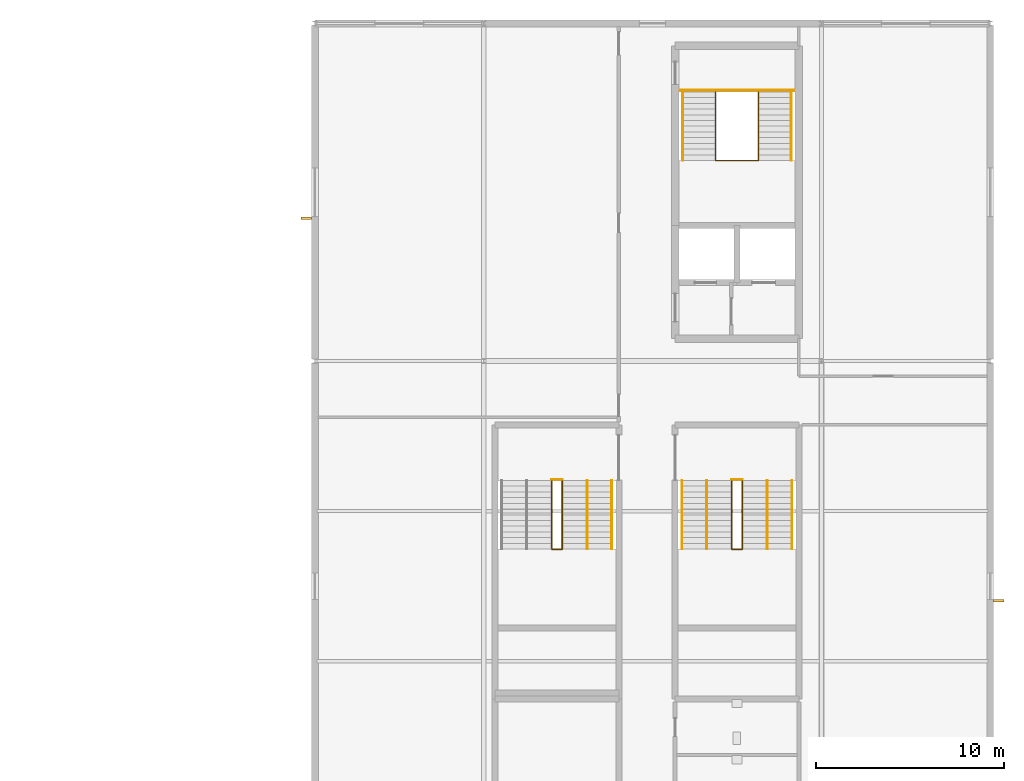
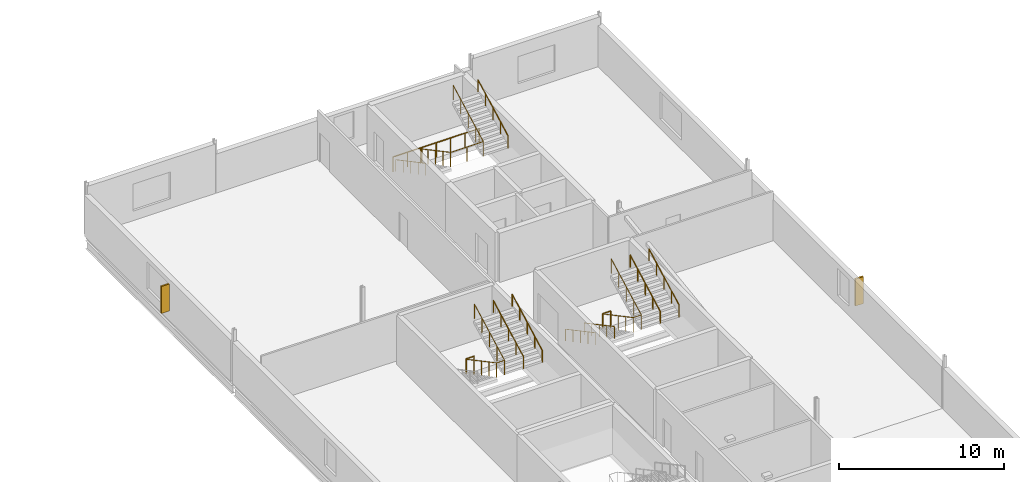
# One storey, part 34 of 35: 14 railings, 2 shading devices.
"""IFC4 building model written with IfcOpenShell, lengths in metres."""

from ifc_helpers import new_model, si_unit, direction, frame, origin, origin_2d, place, context, subcontext, project, spatial, rectangle, circle, extrude, material, type_object, element, save


model = new_model("IFC4")

# Units and contexts
model_context = context("Model", 3, precision=1e-05, world=origin(), true_north=direction((0.0, 1.0)))
body_context = subcontext(model_context, "Body", "Model", "MODEL_VIEW")
ifc_project = project(units=[si_unit("LENGTHUNIT", "METRE"), si_unit("AREAUNIT", "SQUARE_METRE"), si_unit("VOLUMEUNIT", "CUBIC_METRE"), si_unit("PLANEANGLEUNIT", "RADIAN"), si_unit("MASSUNIT", "GRAM", prefix="KILO")], contexts=[model_context])

# Site, building, storey
site_placement = place(None, origin())
site = spatial("IfcSite", under=ifc_project, at=site_placement, CompositionType="ELEMENT")
building_placement = place(site_placement, origin())
building = spatial("IfcBuilding", under=site, at=building_placement, Name="Kisiwana Market Hall", CompositionType="ELEMENT")
storey_placement = place(building_placement, frame((0.0, 0.0, 57.89990234375)))
storey = spatial("IfcBuildingStorey", under=building, at=storey_placement, Name="L13", CompositionType="ELEMENT", Elevation=57.89990234375)

# Railings
ifc_material_1 = material(Name="Steel S275", Category="steel")
railing_type_1 = type_object("IfcRailingType", Name="RL-GUARD-1100", PredefinedType="GUARDRAIL", material=ifc_material_1)
railing_1_placement = place(storey_placement, frame((183.35009765625, 98.3505859375, 0.0)))
element("IfcRailing", 1, at=railing_1_placement, inside=storey, type_object=railing_type_1, Name="Stair ST-E1-L13 inner-well guardrail (RL-1523)", PredefinedType="GUARDRAIL", context=body_context, shape_type="SweptSolid", body=[
    extrude(circle(Radius=0.02392578125, at=origin_2d()), frame((0.0, 0.0, 1.076171875), z_axis=(0.0, -0.882541897885, 0.470233770031), x_axis=(1.0, 0.0, 0.0)), (0.0, 0.0, 1.0), 4.147216796875),
    extrude(circle(Radius=0.02392578125, at=origin_2d()), frame((0.0, -3.66015625, 3.0263671875), z_axis=(1.0, 0.0, 0.0), x_axis=(0.0, 1.0, 0.0)), (0.0, 0.0, 1.0), 2.2998046875),
    extrude(circle(Radius=0.02392578125, at=origin_2d()), frame((2.2998046875, -3.66015625, 3.0263671875), z_axis=(0.0, 0.882566327451, 0.470187917379), x_axis=(-1.0, 0.0, 0.0)), (0.0, 0.0, 1.0), 4.147216796875),
    extrude(circle(Radius=0.02099609375, at=origin_2d()), origin(), (0.0, 0.0, 1.0), 1.052001953125),
    extrude(circle(Radius=0.02099609375, at=origin_2d()), frame((0.0, -0.9150390625, 0.487548828125)), (0.0, 0.0, 1.0), 1.052001953125),
    extrude(circle(Radius=0.02099609375, at=origin_2d()), frame((0.0, -1.830078125, 0.97509765625)), (0.0, 0.0, 1.0), 1.052001953125),
    extrude(circle(Radius=0.02099609375, at=origin_2d()), frame((0.0, -2.7451171875, 1.462646484375)), (0.0, 0.0, 1.0), 1.052001953125),
    extrude(circle(Radius=0.02099609375, at=origin_2d()), frame((0.0, -3.66015625, 1.9501953125)), (0.0, 0.0, 1.0), 1.052001953125),
    extrude(circle(Radius=0.02099609375, at=origin_2d()), frame((1.14990234375, -3.66015625, 1.9501953125)), (0.0, 0.0, 1.0), 1.052001953125),
    extrude(circle(Radius=0.02099609375, at=origin_2d()), frame((2.2998046875, -3.66015625, 1.9501953125)), (0.0, 0.0, 1.0), 1.052001953125),
    extrude(circle(Radius=0.02099609375, at=origin_2d()), frame((2.2998046875, -2.7451171875, 2.437744140625)), (0.0, 0.0, 1.0), 1.052001953125),
    extrude(circle(Radius=0.02099609375, at=origin_2d()), frame((2.2998046875, -1.830078125, 2.92529296875)), (0.0, 0.0, 1.0), 1.052001953125),
    extrude(circle(Radius=0.02099609375, at=origin_2d()), frame((2.2998046875, -0.9150390625, 3.41259765625)), (0.0, 0.0, 1.0), 1.052001953125),
    extrude(circle(Radius=0.02099609375, at=origin_2d()), frame((2.2998046875, 0.0, 3.900146484375)), (0.0, 0.0, 1.0), 1.052001953125),
])
railing_2_placement = place(storey_placement, frame((181.47998046875, 98.430419921875, 0.0)))
element("IfcRailing", 2, at=railing_2_placement, inside=storey, type_object=railing_type_1, Name="Stair ST-E1-L13 landing edge guardrail (RL-1526)", PredefinedType="GUARDRAIL", context=body_context, shape_type="SweptSolid", body=[
    extrude(circle(Radius=0.02392578125, at=origin_2d()), frame((0.0, 0.0, 1.076171875), z_axis=(1.0, 0.0, 0.0), x_axis=(0.0, 1.0, 0.0)), (0.0, 0.0, 1.0), 6.0400390625),
    extrude(circle(Radius=0.02099609375, at=origin_2d()), origin(), (0.0, 0.0, 1.0), 1.052001953125),
    extrude(circle(Radius=0.02099609375, at=origin_2d()), frame((1.006591796875, 0.0, 0.0)), (0.0, 0.0, 1.0), 1.052001953125),
    extrude(circle(Radius=0.02099609375, at=origin_2d()), frame((2.013427734375, 0.0, 0.0)), (0.0, 0.0, 1.0), 1.052001953125),
    extrude(circle(Radius=0.02099609375, at=origin_2d()), frame((3.02001953125, 0.0, 0.0)), (0.0, 0.0, 1.0), 1.052001953125),
    extrude(circle(Radius=0.02099609375, at=origin_2d()), frame((4.026611328125, 0.0, 0.0)), (0.0, 0.0, 1.0), 1.052001953125),
    extrude(circle(Radius=0.02099609375, at=origin_2d()), frame((5.033447265625, 0.0, 0.0)), (0.0, 0.0, 1.0), 1.052001953125),
    extrude(circle(Radius=0.02099609375, at=origin_2d()), frame((6.0400390625, 0.0, 0.0)), (0.0, 0.0, 1.0), 1.052001953125),
])
railing_3_placement = place(storey_placement, frame((184.219970703125, 77.639892578125, 0.0)))
element("IfcRailing", 3, at=railing_3_placement, inside=storey, type_object=railing_type_1, Name="Stair ST-E4-L13 inner-well guardrail (RL-1545)", PredefinedType="GUARDRAIL", context=body_context, shape_type="SweptSolid", body=[
    extrude(circle(Radius=0.02392578125, at=origin_2d()), frame((0.0, 0.0, 1.076171875), z_axis=(0.0, -0.882528880096, 0.470258201201), x_axis=(1.0, 0.0, 0.0)), (0.0, 0.0, 1.0), 4.14697265625),
    extrude(circle(Radius=0.02392578125, at=origin_2d()), frame((0.0, -3.659912109375, 3.0263671875), z_axis=(1.0, 0.0, 0.0), x_axis=(0.0, 1.0, 0.0)), (0.0, 0.0, 1.0), 0.56005859375),
    extrude(circle(Radius=0.02392578125, at=origin_2d()), frame((0.56005859375, -3.659912109375, 3.0263671875), z_axis=(0.0, 0.88255331184, 0.47021234752), x_axis=(-1.0, 0.0, 0.0)), (0.0, 0.0, 1.0), 4.14697265625),
    extrude(circle(Radius=0.02099609375, at=origin_2d()), origin(), (0.0, 0.0, 1.0), 1.052001953125),
    extrude(circle(Radius=0.02099609375, at=origin_2d()), frame((0.0, -0.9150390625, 0.487548828125)), (0.0, 0.0, 1.0), 1.052001953125),
    extrude(circle(Radius=0.02099609375, at=origin_2d()), frame((0.0, -1.830078125, 0.97509765625)), (0.0, 0.0, 1.0), 1.052001953125),
    extrude(circle(Radius=0.02099609375, at=origin_2d()), frame((0.0, -2.744873046875, 1.462646484375)), (0.0, 0.0, 1.0), 1.052001953125),
    extrude(circle(Radius=0.02099609375, at=origin_2d()), frame((0.0, -3.659912109375, 1.9501953125)), (0.0, 0.0, 1.0), 1.052001953125),
    extrude(circle(Radius=0.02099609375, at=origin_2d()), frame((0.56005859375, -3.659912109375, 1.9501953125)), (0.0, 0.0, 1.0), 1.052001953125),
    extrude(circle(Radius=0.02099609375, at=origin_2d()), frame((0.56005859375, -2.744873046875, 2.437744140625)), (0.0, 0.0, 1.0), 1.052001953125),
    extrude(circle(Radius=0.02099609375, at=origin_2d()), frame((0.56005859375, -1.830078125, 2.92529296875)), (0.0, 0.0, 1.0), 1.052001953125),
    extrude(circle(Radius=0.02099609375, at=origin_2d()), frame((0.56005859375, -0.9150390625, 3.41259765625)), (0.0, 0.0, 1.0), 1.052001953125),
    extrude(circle(Radius=0.02099609375, at=origin_2d()), frame((0.56005859375, 0.0, 3.900146484375)), (0.0, 0.0, 1.0), 1.052001953125),
])
railing_4_placement = place(storey_placement, frame((184.219970703125, 77.68994140625, 0.0)))
element("IfcRailing", 4, at=railing_4_placement, inside=storey, type_object=railing_type_1, Name="Stair ST-E4-L13 landing edge guardrail (RL-1550)", PredefinedType="GUARDRAIL", context=body_context, shape_type="SweptSolid", body=[
    extrude(circle(Radius=0.02392578125, at=origin_2d()), frame((0.0, 0.0, 1.076171875), z_axis=(1.0, 0.0, 0.0), x_axis=(0.0, 1.0, 0.0)), (0.0, 0.0, 1.0), 0.56005859375),
    extrude(circle(Radius=0.02099609375, at=origin_2d()), origin(), (0.0, 0.0, 1.0), 1.052001953125),
    extrude(circle(Radius=0.02099609375, at=origin_2d()), frame((0.56005859375, 0.0, 0.0)), (0.0, 0.0, 1.0), 1.052001953125),
])
railing_5_placement = place(storey_placement, frame((174.6201171875, 77.639892578125, 0.0)))
element("IfcRailing", 5, at=railing_5_placement, inside=storey, type_object=railing_type_1, Name="Stair ST-E8-L13 inner-well guardrail (RL-1569)", PredefinedType="GUARDRAIL", context=body_context, shape_type="SweptSolid", body=[
    extrude(circle(Radius=0.02392578125, at=origin_2d()), frame((0.0, 0.0, 1.076171875), z_axis=(0.0, -0.882528880096, 0.470258201201), x_axis=(1.0, 0.0, 0.0)), (0.0, 0.0, 1.0), 4.14697265625),
    extrude(circle(Radius=0.02392578125, at=origin_2d()), frame((0.0, -3.659912109375, 3.0263671875), z_axis=(1.0, 0.0, 0.0), x_axis=(0.0, 1.0, 0.0)), (0.0, 0.0, 1.0), 0.559814453125),
    extrude(circle(Radius=0.02392578125, at=origin_2d()), frame((0.559814453125, -3.659912109375, 3.0263671875), z_axis=(0.0, 0.88255331184, 0.47021234752), x_axis=(-1.0, 0.0, 0.0)), (0.0, 0.0, 1.0), 4.14697265625),
    extrude(circle(Radius=0.02099609375, at=origin_2d()), origin(), (0.0, 0.0, 1.0), 1.052001953125),
    extrude(circle(Radius=0.02099609375, at=origin_2d()), frame((0.0, -0.9150390625, 0.487548828125)), (0.0, 0.0, 1.0), 1.052001953125),
    extrude(circle(Radius=0.02099609375, at=origin_2d()), frame((0.0, -1.830078125, 0.97509765625)), (0.0, 0.0, 1.0), 1.052001953125),
    extrude(circle(Radius=0.02099609375, at=origin_2d()), frame((0.0, -2.744873046875, 1.462646484375)), (0.0, 0.0, 1.0), 1.052001953125),
    extrude(circle(Radius=0.02099609375, at=origin_2d()), frame((0.0, -3.659912109375, 1.9501953125)), (0.0, 0.0, 1.0), 1.052001953125),
    extrude(circle(Radius=0.02099609375, at=origin_2d()), frame((0.559814453125, -3.659912109375, 1.9501953125)), (0.0, 0.0, 1.0), 1.052001953125),
    extrude(circle(Radius=0.02099609375, at=origin_2d()), frame((0.559814453125, -2.744873046875, 2.437744140625)), (0.0, 0.0, 1.0), 1.052001953125),
    extrude(circle(Radius=0.02099609375, at=origin_2d()), frame((0.559814453125, -1.830078125, 2.92529296875)), (0.0, 0.0, 1.0), 1.052001953125),
    extrude(circle(Radius=0.02099609375, at=origin_2d()), frame((0.559814453125, -0.9150390625, 3.41259765625)), (0.0, 0.0, 1.0), 1.052001953125),
    extrude(circle(Radius=0.02099609375, at=origin_2d()), frame((0.559814453125, 0.0, 3.900146484375)), (0.0, 0.0, 1.0), 1.052001953125),
])
railing_6_placement = place(storey_placement, frame((174.6201171875, 77.68994140625, 0.0)))
element("IfcRailing", 6, at=railing_6_placement, inside=storey, type_object=railing_type_1, Name="Stair ST-E8-L13 landing edge guardrail (RL-1574)", PredefinedType="GUARDRAIL", context=body_context, shape_type="SweptSolid", body=[
    extrude(circle(Radius=0.02392578125, at=origin_2d()), frame((0.0, 0.0, 1.076171875), z_axis=(1.0, 0.0, 0.0), x_axis=(0.0, 1.0, 0.0)), (0.0, 0.0, 1.0), 0.559814453125),
    extrude(circle(Radius=0.02099609375, at=origin_2d()), origin(), (0.0, 0.0, 1.0), 1.052001953125),
    extrude(circle(Radius=0.02099609375, at=origin_2d()), frame((0.559814453125, 0.0, 0.0)), (0.0, 0.0, 1.0), 1.052001953125),
])
ifc_material_2 = material(Name="Steel S275", Category="steel")
railing_type_2 = type_object("IfcRailingType", Name="RL-HAND-900", PredefinedType="HANDRAIL", material=ifc_material_2)
railing_7_placement = place(storey_placement, frame((181.610107421875, 98.3505859375, 0.0)))
element("IfcRailing", 7, at=railing_7_placement, inside=storey, type_object=railing_type_2, Name="Stair ST-E1-L13 flight 1 handrail (RL-1524)", PredefinedType="HANDRAIL", context=body_context, shape_type="SweptSolid", body=[
    extrude(circle(Radius=0.02392578125, at=origin_2d()), frame((0.0, 0.0, 0.8759765625), z_axis=(0.0, -0.882541897885, 0.470233770031), x_axis=(1.0, 0.0, 0.0)), (0.0, 0.0, 1.0), 4.147216796875),
    extrude(circle(Radius=0.02099609375, at=origin_2d()), origin(), (0.0, 0.0, 1.0), 0.851806640625),
    extrude(circle(Radius=0.02099609375, at=origin_2d()), frame((0.0, -0.9150390625, 0.487548828125)), (0.0, 0.0, 1.0), 0.851806640625),
    extrude(circle(Radius=0.02099609375, at=origin_2d()), frame((0.0, -1.830078125, 0.97509765625)), (0.0, 0.0, 1.0), 0.851806640625),
    extrude(circle(Radius=0.02099609375, at=origin_2d()), frame((0.0, -2.7451171875, 1.462646484375)), (0.0, 0.0, 1.0), 0.851806640625),
    extrude(circle(Radius=0.02099609375, at=origin_2d()), frame((0.0, -3.66015625, 1.9501953125)), (0.0, 0.0, 1.0), 0.851806640625),
])
railing_8_placement = place(storey_placement, frame((187.389892578125, 94.6904296875, 1.9501953125)))
element("IfcRailing", 8, at=railing_8_placement, inside=storey, type_object=railing_type_2, Name="Stair ST-E1-L13 flight 2 handrail (RL-1525)", PredefinedType="HANDRAIL", context=body_context, shape_type="SweptSolid", body=[
    extrude(circle(Radius=0.02392578125, at=origin_2d()), frame((0.0, 0.0, 0.8759765625), z_axis=(0.0, 0.882566327451, 0.470187917379), x_axis=(-1.0, 0.0, 0.0)), (0.0, 0.0, 1.0), 4.147216796875),
    extrude(circle(Radius=0.02099609375, at=origin_2d()), origin(), (0.0, 0.0, 1.0), 0.851806640625),
    extrude(circle(Radius=0.02099609375, at=origin_2d()), frame((0.0, 0.9150390625, 0.487548828125)), (0.0, 0.0, 1.0), 0.851806640625),
    extrude(circle(Radius=0.02099609375, at=origin_2d()), frame((0.0, 1.830078125, 0.97509765625)), (0.0, 0.0, 1.0), 0.851806640625),
    extrude(circle(Radius=0.02099609375, at=origin_2d()), frame((0.0, 2.7451171875, 1.46240234375)), (0.0, 0.0, 1.0), 0.851806640625),
    extrude(circle(Radius=0.02099609375, at=origin_2d()), frame((0.0, 3.66015625, 1.949951171875)), (0.0, 0.0, 1.0), 0.851806640625),
])
railing_9_placement = place(storey_placement, frame((181.570068359375, 77.639892578125, 0.0)))
element("IfcRailing", 9, at=railing_9_placement, inside=storey, type_object=railing_type_2, Name="Stair ST-E4-L13 flight 1 handrail (RL-1546)", PredefinedType="HANDRAIL", context=body_context, shape_type="SweptSolid", body=[
    extrude(circle(Radius=0.02392578125, at=origin_2d()), frame((0.0, 0.0, 0.8759765625), z_axis=(0.0, -0.882528880096, 0.470258201201), x_axis=(1.0, 0.0, 0.0)), (0.0, 0.0, 1.0), 4.14697265625),
    extrude(circle(Radius=0.02099609375, at=origin_2d()), origin(), (0.0, 0.0, 1.0), 0.851806640625),
    extrude(circle(Radius=0.02099609375, at=origin_2d()), frame((0.0, -0.9150390625, 0.487548828125)), (0.0, 0.0, 1.0), 0.851806640625),
    extrude(circle(Radius=0.02099609375, at=origin_2d()), frame((0.0, -1.830078125, 0.97509765625)), (0.0, 0.0, 1.0), 0.851806640625),
    extrude(circle(Radius=0.02099609375, at=origin_2d()), frame((0.0, -2.744873046875, 1.462646484375)), (0.0, 0.0, 1.0), 0.851806640625),
    extrude(circle(Radius=0.02099609375, at=origin_2d()), frame((0.0, -3.659912109375, 1.9501953125)), (0.0, 0.0, 1.0), 0.851806640625),
])
railing_10_placement = place(storey_placement, frame((187.429931640625, 73.97998046875, 1.9501953125)))
element("IfcRailing", 10, at=railing_10_placement, inside=storey, type_object=railing_type_2, Name="Stair ST-E4-L13 flight 2 handrail (RL-1547)", PredefinedType="HANDRAIL", context=body_context, shape_type="SweptSolid", body=[
    extrude(circle(Radius=0.02392578125, at=origin_2d()), frame((0.0, 0.0, 0.8759765625), z_axis=(0.0, 0.88255331184, 0.47021234752), x_axis=(-1.0, 0.0, 0.0)), (0.0, 0.0, 1.0), 4.14697265625),
    extrude(circle(Radius=0.02099609375, at=origin_2d()), origin(), (0.0, 0.0, 1.0), 0.851806640625),
    extrude(circle(Radius=0.02099609375, at=origin_2d()), frame((0.0, 0.9150390625, 0.487548828125)), (0.0, 0.0, 1.0), 0.851806640625),
    extrude(circle(Radius=0.02099609375, at=origin_2d()), frame((0.0, 1.830078125, 0.97509765625)), (0.0, 0.0, 1.0), 0.851806640625),
    extrude(circle(Radius=0.02099609375, at=origin_2d()), frame((0.0, 2.744873046875, 1.46240234375)), (0.0, 0.0, 1.0), 0.851806640625),
    extrude(circle(Radius=0.02099609375, at=origin_2d()), frame((0.0, 3.659912109375, 1.949951171875)), (0.0, 0.0, 1.0), 0.851806640625),
])
railing_11_placement = place(storey_placement, frame((182.889892578125, 77.639892578125, 0.0)))
element("IfcRailing", 11, at=railing_11_placement, inside=storey, type_object=railing_type_2, Name="Stair ST-E4-L13 flight 1 intermediate handrail (RL-1548)", PredefinedType="HANDRAIL", context=body_context, shape_type="SweptSolid", body=[
    extrude(circle(Radius=0.02392578125, at=origin_2d()), frame((0.0, 0.0, 0.8759765625), z_axis=(0.0, -0.882528880096, 0.470258201201), x_axis=(1.0, 0.0, 0.0)), (0.0, 0.0, 1.0), 4.14697265625),
    extrude(circle(Radius=0.02099609375, at=origin_2d()), origin(), (0.0, 0.0, 1.0), 0.851806640625),
    extrude(circle(Radius=0.02099609375, at=origin_2d()), frame((0.0, -0.9150390625, 0.487548828125)), (0.0, 0.0, 1.0), 0.851806640625),
    extrude(circle(Radius=0.02099609375, at=origin_2d()), frame((0.0, -1.830078125, 0.97509765625)), (0.0, 0.0, 1.0), 0.851806640625),
    extrude(circle(Radius=0.02099609375, at=origin_2d()), frame((0.0, -2.744873046875, 1.462646484375)), (0.0, 0.0, 1.0), 0.851806640625),
    extrude(circle(Radius=0.02099609375, at=origin_2d()), frame((0.0, -3.659912109375, 1.9501953125)), (0.0, 0.0, 1.0), 0.851806640625),
])
for number, where, name in (
    (12, (186.110107421875, 73.97998046875, 1.9501953125), "Stair ST-E4-L13 flight 2 intermediate handrail (RL-1549)"),
    (13, (177.830078125, 73.97998046875, 1.9501953125), "Stair ST-E8-L13 flight 2 handrail (RL-1571)"),
    (14, (176.510009765625, 73.97998046875, 1.9501953125), "Stair ST-E8-L13 flight 2 intermediate handrail (RL-1573)"),
):
    element("IfcRailing", number, at=place(storey_placement, frame(where)), inside=storey, type_object=railing_type_2, Name=name, PredefinedType="HANDRAIL", context=body_context, shape_type="SweptSolid", body=[
        extrude(circle(Radius=0.02392578125, at=origin_2d()), frame((0.0, 0.0, 0.8759765625), z_axis=(0.0, 0.88255331184, 0.47021234752), x_axis=(-1.0, 0.0, 0.0)), (0.0, 0.0, 1.0), 4.14697265625),
        extrude(circle(Radius=0.02099609375, at=origin_2d()), origin(), (0.0, 0.0, 1.0), 0.851806640625),
        extrude(circle(Radius=0.02099609375, at=origin_2d()), frame((0.0, 0.9150390625, 0.487548828125)), (0.0, 0.0, 1.0), 0.851806640625),
        extrude(circle(Radius=0.02099609375, at=origin_2d()), frame((0.0, 1.830078125, 0.97509765625)), (0.0, 0.0, 1.0), 0.851806640625),
        extrude(circle(Radius=0.02099609375, at=origin_2d()), frame((0.0, 2.744873046875, 1.46240234375)), (0.0, 0.0, 1.0), 0.851806640625),
        extrude(circle(Radius=0.02099609375, at=origin_2d()), frame((0.0, 3.659912109375, 1.949951171875)), (0.0, 0.0, 1.0), 0.851806640625),
    ])

# Shading devices
ifc_material_3 = material(Name="Aluminium alloy 6063-T6", Category="aluminium")
shading_device_type = type_object("IfcShadingDeviceType", Name="SHD-SHUTTER-V", PredefinedType="SHUTTER", material=ifc_material_3)
for number, where, z_axis, x_axis, name in (
    (15, (161.54248046875, 91.6201171875, 0.7001953125), (0.0, 0.0, 1.0), (0.0, 1.0, 0.0), "Vertical solar fin SHD-214 SD-213"),
    (16, (198.45751953125, 71.219970703125, 0.7001953125), (0.0, 0.0, 1.0), (0.0, 1.0, 0.0), "Vertical solar fin SHD-215 SD-214"),
):
    element("IfcShadingDevice", number, at=place(storey_placement, frame(where, z_axis=z_axis, x_axis=x_axis)), inside=storey, type_object=shading_device_type, Name=name, PredefinedType="SHUTTER", context=body_context, shape_type="SweptSolid", body=[
        extrude(rectangle(XDim=0.1201171875, YDim=0.550048828125, at=origin_2d()), origin(), (0.0, 0.0, 1.0), 2.0),
    ])

save(model, "model.ifc")
